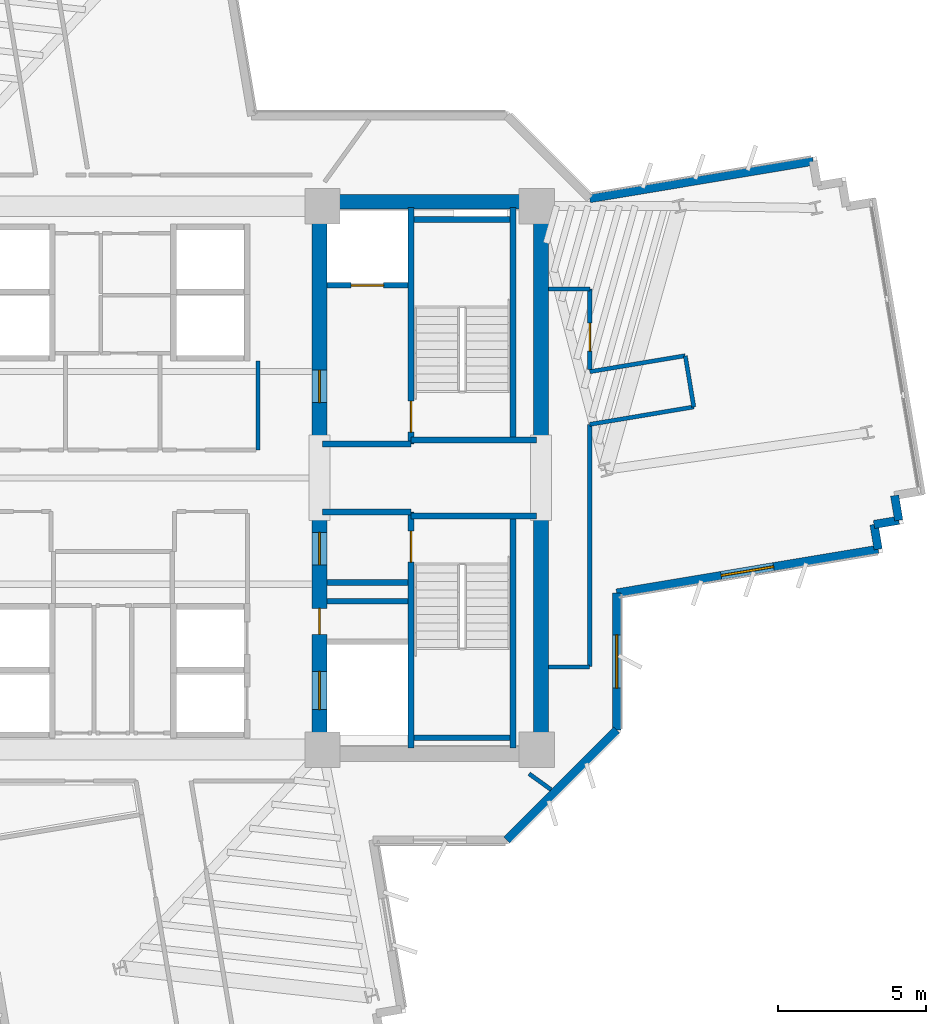
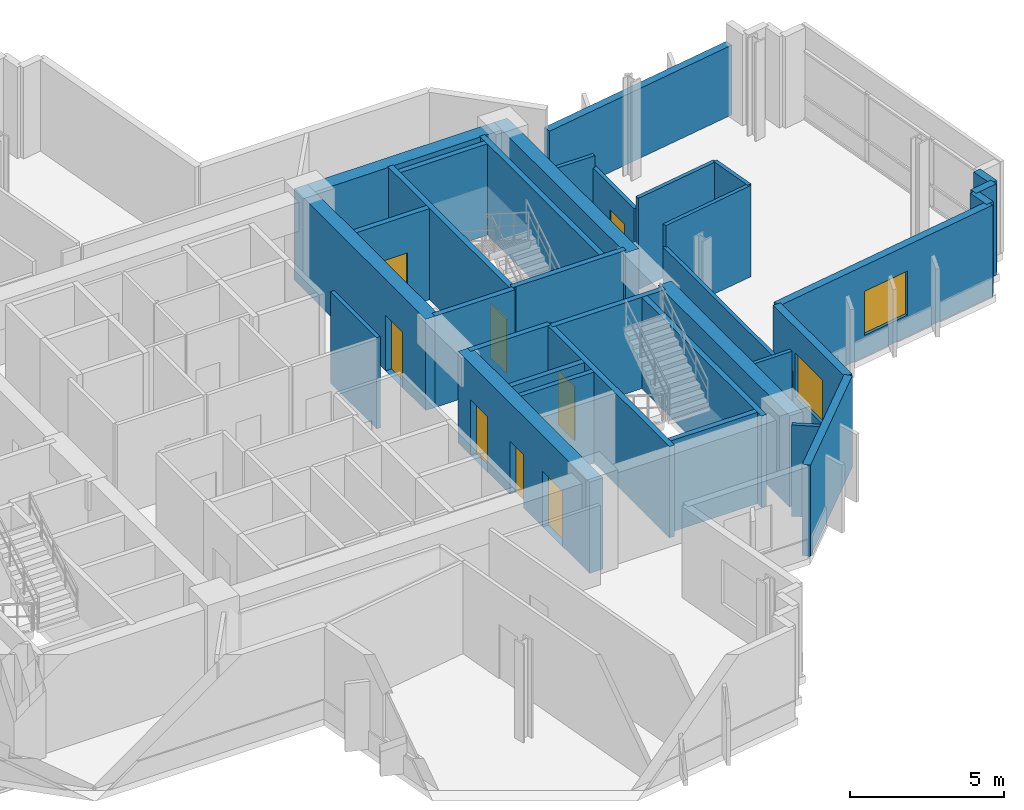
# One storey, part 10 of 15: 34 walls, 8 doors, 2 windows, 10 openings.
"""IFC4 building model written with IfcOpenShell, lengths in metres."""

from ifc_helpers import new_model, si_unit, direction, frame, frame_2d, origin, place, context, subcontext, project, spatial, rectangle, extrude, source, transform, mapped, material, layer, layer_set, type_object, element, fill, save


model = new_model("IFC4")

# Units and contexts
model_context = context("Model", 3, precision=1e-05, world=origin(), true_north=direction((0.0, 1.0)))
body_context = subcontext(model_context, "Body", "Model", "MODEL_VIEW")
ifc_project = project(units=[si_unit("LENGTHUNIT", "METRE"), si_unit("AREAUNIT", "SQUARE_METRE"), si_unit("VOLUMEUNIT", "CUBIC_METRE"), si_unit("PLANEANGLEUNIT", "RADIAN"), si_unit("MASSUNIT", "GRAM", prefix="KILO")], contexts=[model_context])

# Site, building, storey
site_placement = place(None, origin())
site = spatial("IfcSite", under=ifc_project, at=site_placement, CompositionType="ELEMENT")
building_placement = place(site_placement, origin())
building = spatial("IfcBuilding", under=site, at=building_placement, Name="Zahravan Cultural Tower", CompositionType="ELEMENT")
storey_placement = place(building_placement, frame((0.0, 0.0, 143.39990234375)))
storey = spatial("IfcBuildingStorey", under=building, at=storey_placement, Name="L32", CompositionType="ELEMENT", Elevation=143.39990234375)

# Wall, openings, doors
ifc_material_1 = material(Name="Concrete C60/75", Category="concrete")
ifc_layer_1 = layer(ifc_material_1, 0.5)
ifc_layer_set_1 = layer_set([ifc_layer_1], Name="Concrete C60/75")
wall_type_1 = type_object("IfcWallType", Name="CW-SHEAR-500-C60", PredefinedType="SHEAR", material=ifc_layer_set_1)
wall_1_placement = place(storey_placement, frame((43.0, 17.39990234375, 0.0), z_axis=(0.0, 0.0, 1.0), x_axis=(0.0, 1.0, 0.0)))
wall_1 = element("IfcWall", 1, at=wall_1_placement, inside=storey, type_object=wall_type_1, Name="L32 Core Shear Wall CW-E-WS-L32", PredefinedType="SHEAR", context=body_context, shape_type="SweptSolid", body=[
    extrude(rectangle(XDim=8.550048828125, YDim=0.5, at=frame_2d((4.27490234375, 0.0))), origin(), (0.0, 0.0, 1.0), 3.6201171875),
])
opening_1_placement = place(wall_1_placement, frame((6.64990234375, 0.0, 0.0)))
opening_1 = element("IfcOpeningElement", 2, at=opening_1_placement, cuts=wall_1, Name="Opening D-L32-08", PredefinedType="OPENING", context=body_context, shape_type="SweptSolid", body=[
    extrude(rectangle(XDim=1.10009765625, YDim=2.199951171875, at=frame_2d((0.550048828125, 1.10009765625))), frame((0.0, 0.260009765625, 0.0), z_axis=(0.0, -1.0, 0.0), x_axis=(1.0, 0.0, 0.0)), (0.0, 0.0, 1.0), 0.52001953125),
])
opening_2_placement = place(wall_1_placement, frame((1.75, 0.0, 0.0)))
opening_2 = element("IfcOpeningElement", 3, at=opening_2_placement, cuts=wall_1, Name="Opening LD-L32-03", PredefinedType="OPENING", context=body_context, shape_type="SweptSolid", body=[
    extrude(rectangle(XDim=1.300048828125, YDim=2.199951171875, at=frame_2d((0.64990234375, 1.10009765625))), frame((0.0, 0.260009765625, 0.0), z_axis=(0.0, -1.0, 0.0), x_axis=(1.0, 0.0, 0.0)), (0.0, 0.0, 1.0), 0.52001953125),
])
opening_3_placement = place(wall_1_placement, frame((4.300048828125, 0.0, 0.0)))
opening_3 = element("IfcOpeningElement", 4, at=opening_3_placement, cuts=wall_1, Name="Opening D-L32-12", PredefinedType="OPENING", context=body_context, shape_type="SweptSolid", body=[
    extrude(rectangle(XDim=0.8798828125, YDim=2.10009765625, at=frame_2d((0.43994140625, 1.050048828125))), frame((0.0, 0.260009765625, 0.0), z_axis=(0.0, -1.0, 0.0), x_axis=(1.0, 0.0, 0.0)), (0.0, 0.0, 1.0), 0.52001953125),
])
ifc_material_2 = material(Name="Steel ASTM A572 Grade 50", Category="steel")
door_type_1 = type_object("IfcDoorType", Name="DR-LOBBY-1100", OperationType="NOTDEFINED", PredefinedType="DOOR", material=ifc_material_2)
shared_shape_1 = source(origin(), body_context, "Body", "SweptSolid", [
    extrude(rectangle(XDim=1.10009765625, YDim=2.199951171875, at=frame_2d((0.550048828125, 1.10009765625))), frame((0.0, 0.02490234375, 0.0), z_axis=(0.0, -1.0, 0.0), x_axis=(1.0, 0.0, 0.0)), (0.0, 0.0, 1.0), 0.050048828125),
])
door_1_placement = place(opening_1_placement, origin())
door_1 = element("IfcDoor", 5, at=door_1_placement, inside=storey, type_object=door_type_1, Name="L32 Door D-L32-08", OperationType="SINGLE_SWING_LEFT", OverallHeight=2.199951171875, OverallWidth=1.10009765625, PredefinedType="DOOR", context=body_context, shape_type="MappedRepresentation", body=[
    mapped(shared_shape_1, transform((0.0, 0.0, 0.0), x_axis=(1.0, 0.0, 0.0), y_axis=(0.0, 1.0, 0.0), z_axis=(0.0, 0.0, 1.0), scale=1.0)),
])
fill(opening_1, door_1)
door_type_2 = type_object("IfcDoorType", Name="DR-LIFT-1300", OperationType="DOUBLE_DOOR_SLIDING", PredefinedType="DOOR", material=ifc_material_2)
shared_shape_2 = source(origin(), body_context, "Body", "SweptSolid", [
    extrude(rectangle(XDim=1.300048828125, YDim=2.199951171875, at=frame_2d((0.64990234375, 1.10009765625))), frame((0.0, 0.02490234375, 0.0), z_axis=(0.0, -1.0, 0.0), x_axis=(1.0, 0.0, 0.0)), (0.0, 0.0, 1.0), 0.050048828125),
])
door_2_placement = place(opening_2_placement, origin())
door_2 = element("IfcDoor", 6, at=door_2_placement, inside=storey, type_object=door_type_2, Name="L32 Door LD-L32-03", OperationType="DOUBLE_DOOR_SLIDING", OverallHeight=2.199951171875, OverallWidth=1.300048828125, PredefinedType="DOOR", context=body_context, shape_type="MappedRepresentation", body=[
    mapped(shared_shape_2, transform((0.0, 0.0, 0.0), x_axis=(1.0, 0.0, 0.0), y_axis=(0.0, 1.0, 0.0), z_axis=(0.0, 0.0, 1.0), scale=1.0)),
])
fill(opening_2, door_2)
door_type_3 = type_object("IfcDoorType", Name="DR-SVC-880", OperationType="NOTDEFINED", PredefinedType="DOOR", material=ifc_material_2)
shared_shape_3 = source(origin(), body_context, "Body", "SweptSolid", [
    extrude(rectangle(XDim=0.8798828125, YDim=2.10009765625, at=frame_2d((0.43994140625, 1.050048828125))), frame((0.0, 0.02490234375, 0.0), z_axis=(0.0, -1.0, 0.0), x_axis=(1.0, 0.0, 0.0)), (0.0, 0.0, 1.0), 0.050048828125),
])
door_3_placement = place(opening_3_placement, origin())
door_3 = element("IfcDoor", 7, at=door_3_placement, inside=storey, type_object=door_type_3, Name="L32 Door D-L32-12", OperationType="SINGLE_SWING_LEFT", OverallHeight=2.10009765625, OverallWidth=0.8798828125, PredefinedType="DOOR", context=body_context, shape_type="MappedRepresentation", body=[
    mapped(shared_shape_3, transform((0.0, 0.0, 0.0), x_axis=(1.0, 0.0, 0.0), y_axis=(0.0, 1.0, 0.0), z_axis=(0.0, 0.0, 1.0), scale=1.0)),
])
fill(opening_3, door_3)

# Wall, opening, door
wall_2_placement = place(storey_placement, frame((43.0, 28.050048828125, 0.0), z_axis=(0.0, 0.0, 1.0), x_axis=(0.0, 1.0, 0.0)))
wall_2 = element("IfcWall", 8, at=wall_2_placement, inside=storey, type_object=wall_type_1, Name="L32 Core Shear Wall CW-E-WN-L32", PredefinedType="SHEAR", context=body_context, shape_type="SweptSolid", body=[
    extrude(rectangle(XDim=8.550048828125, YDim=0.5, at=frame_2d((4.27490234375, 0.0))), origin(), (0.0, 0.0, 1.0), 3.6201171875),
])
opening_4_placement = place(wall_2_placement, frame((1.5, 0.0, 0.0)))
opening_4 = element("IfcOpeningElement", 9, at=opening_4_placement, cuts=wall_2, Name="Opening D-L32-06", PredefinedType="OPENING", context=body_context, shape_type="SweptSolid", body=[
    extrude(rectangle(XDim=1.10009765625, YDim=2.199951171875, at=frame_2d((0.550048828125, 1.10009765625))), frame((0.0, 0.260009765625, 0.0), z_axis=(0.0, -1.0, 0.0), x_axis=(1.0, 0.0, 0.0)), (0.0, 0.0, 1.0), 0.52001953125),
])
door_4_placement = place(opening_4_placement, origin())
door_4 = element("IfcDoor", 10, at=door_4_placement, inside=storey, type_object=door_type_1, Name="L32 Door D-L32-06", OperationType="SINGLE_SWING_LEFT", OverallHeight=2.199951171875, OverallWidth=1.10009765625, PredefinedType="DOOR", context=body_context, shape_type="MappedRepresentation", body=[
    mapped(shared_shape_1, transform((0.0, 0.0, 0.0), x_axis=(1.0, 0.0, 0.0), y_axis=(0.0, 1.0, 0.0), z_axis=(0.0, 0.0, 1.0), scale=1.0)),
])
fill(opening_4, door_4)

# Wall, opening, window
ifc_material_3 = material(Name="Precast concrete C40/50", Category="concrete")
ifc_layer_2 = layer(ifc_material_3, 0.280029296875)
ifc_layer_set_2 = layer_set([ifc_layer_2], Name="Precast concrete C40/50")
wall_type_2 = type_object("IfcWallType", Name="EW-TC-280", PredefinedType="SOLIDWALL", material=ifc_layer_set_2)
wall_3_placement = place(storey_placement, frame((61.9140625, 24.583984375, 0.0), z_axis=(0.0, 0.0, 1.0), x_axis=(-0.98628492446, -0.165051651865, 0.0)))
wall_3 = element("IfcWall", 11, at=wall_3_placement, inside=storey, type_object=wall_type_2, Name="L32 Exterior Masonry Frame Wall 10", PredefinedType="SOLIDWALL", context=body_context, shape_type="SweptSolid", body=[
    extrude(rectangle(XDim=8.97705078125, YDim=0.280029296875, at=frame_2d((4.488525390625, 0.0))), origin(), (0.0, 0.0, 1.0), 3.6201171875),
])
opening_5_placement = place(wall_3_placement, frame((3.589111328125, 0.0, 0.85009765625)))
opening_5 = element("IfcOpeningElement", 12, at=opening_5_placement, cuts=wall_3, Name="Opening WN-02", PredefinedType="OPENING", context=body_context, shape_type="SweptSolid", body=[
    extrude(rectangle(XDim=1.800048828125, YDim=1.75, at=frame_2d((0.89990234375, 0.875))), frame((0.0, 0.14990234375, 0.0), z_axis=(0.0, -1.0, 0.0), x_axis=(1.0, 0.0, 0.0)), (0.0, 0.0, 1.0), 0.300048828125),
])
ifc_material_4 = material(Name="Low-E solar-control double glazing", Category="glass")
window_type = type_object("IfcWindowType", Name="WN-REC-1800X1750", PartitioningType="DOUBLE_PANEL_VERTICAL", PredefinedType="WINDOW", material=ifc_material_4)
shared_shape_4 = source(origin(), body_context, "Body", "SweptSolid", [
    extrude(rectangle(XDim=1.800048828125, YDim=1.75, at=frame_2d((0.89990234375, 0.875))), frame((0.0, 0.030029296875, 0.0), z_axis=(0.0, -1.0, 0.0), x_axis=(1.0, 0.0, 0.0)), (0.0, 0.0, 1.0), 0.06005859375),
])
window_1_placement = place(opening_5_placement, origin())
window_1 = element("IfcWindow", 13, at=window_1_placement, inside=storey, type_object=window_type, Name="L32 Recessed Solar Window 01", OverallHeight=1.75, OverallWidth=1.800048828125, PartitioningType="DOUBLE_PANEL_VERTICAL", PredefinedType="WINDOW", context=body_context, shape_type="MappedRepresentation", body=[
    mapped(shared_shape_4, transform((0.0, 0.0, 0.0), x_axis=(1.0, 0.0, 0.0), y_axis=(0.0, 1.0, 0.0), z_axis=(0.0, 0.0, 1.0), scale=1.0)),
])
fill(opening_5, window_1)

wall_4_placement = place(storey_placement, frame((53.06005859375, 23.102294921875, 0.0), z_axis=(0.0, 0.0, 1.0), x_axis=(0.0, -1.0, 0.0)))
wall_4 = element("IfcWall", 14, at=wall_4_placement, inside=storey, type_object=wall_type_2, Name="L32 Exterior Masonry Frame Wall 11", PredefinedType="SOLIDWALL", context=body_context, shape_type="SweptSolid", body=[
    extrude(rectangle(XDim=4.644287109375, YDim=0.280029296875, at=frame_2d((2.322265625, 0.0))), origin(), (0.0, 0.0, 1.0), 3.6201171875),
])
opening_6_placement = place(wall_4_placement, frame((1.422119140625, 0.0, 0.85009765625)))
opening_6 = element("IfcOpeningElement", 15, at=opening_6_placement, cuts=wall_4, Name="Opening WN-02", PredefinedType="OPENING", context=body_context, shape_type="SweptSolid", body=[
    extrude(rectangle(XDim=1.800048828125, YDim=1.75, at=frame_2d((0.89990234375, 0.875))), frame((0.0, 0.14990234375, 0.0), z_axis=(0.0, -1.0, 0.0), x_axis=(1.0, 0.0, 0.0)), (0.0, 0.0, 1.0), 0.300048828125),
])
window_2_placement = place(opening_6_placement, origin())
window_2 = element("IfcWindow", 16, at=window_2_placement, inside=storey, type_object=window_type, Name="L32 Recessed Solar Window 02", OverallHeight=1.75, OverallWidth=1.800048828125, PartitioningType="DOUBLE_PANEL_VERTICAL", PredefinedType="WINDOW", context=body_context, shape_type="MappedRepresentation", body=[
    mapped(shared_shape_4, transform((0.0, 0.0, 0.0), x_axis=(1.0, 0.0, 0.0), y_axis=(0.0, 1.0, 0.0), z_axis=(0.0, 0.0, 1.0), scale=1.0)),
])
fill(opening_6, window_2)

# Wall, opening, door
ifc_material_5 = material(Name="Gypsum plasterboard partition")
ifc_layer_3 = layer(ifc_material_5, 0.139892578125)
ifc_layer_set_3 = layer_set([ifc_layer_3], Name="Gypsum plasterboard partition")
wall_type_3 = type_object("IfcWallType", Name="W-PART-140", PredefinedType="PARTITIONING", material=ifc_layer_set_3)
wall_5_placement = place(storey_placement, frame((52.14990234375, 30.6708984375, 0.0), z_axis=(0.0, 0.0, 1.0), x_axis=(-0.000447667607, 0.999999899797, 0.0)))
wall_5 = element("IfcWall", 17, at=wall_5_placement, inside=storey, type_object=wall_type_3, Name="L32 Interior Wall 117", PredefinedType="PARTITIONING", context=body_context, shape_type="SweptSolid", body=[
    extrude(rectangle(XDim=2.726806640625, YDim=0.139892578125, at=frame_2d((1.36328125, 0.0))), origin(), (0.0, 0.0, 1.0), 3.149169921875),
])
opening_7_placement = place(wall_5_placement, frame((0.621826171875, 0.0, 0.0)))
opening_7 = element("IfcOpeningElement", 18, at=opening_7_placement, cuts=wall_5, Name="Opening D-L32-23", PredefinedType="OPENING", context=body_context, shape_type="SweptSolid", body=[
    extrude(rectangle(XDim=0.949951171875, YDim=2.14990234375, at=frame_2d((0.47509765625, 1.074951171875))), frame((0.0, 0.079833984375, 0.0), z_axis=(0.0, -1.0, 0.0), x_axis=(1.0, 0.0, 0.0)), (0.0, 0.0, 1.0), 0.159912109375),
])
ifc_material_6 = material(Name="Anodised bronze-aluminium mullion", Category="aluminium")
door_type_4 = type_object("IfcDoorType", Name="DR-ROOM-950", OperationType="NOTDEFINED", PredefinedType="DOOR", material=ifc_material_6)
shared_shape_5 = source(origin(), body_context, "Body", "SweptSolid", [
    extrude(rectangle(XDim=0.949951171875, YDim=2.14990234375, at=frame_2d((0.47509765625, 1.074951171875))), frame((0.0, 0.02490234375, 0.0), z_axis=(0.0, -1.0, 0.0), x_axis=(1.0, 0.0, 0.0)), (0.0, 0.0, 1.0), 0.050048828125),
])
door_5_placement = place(opening_7_placement, origin())
door_5 = element("IfcDoor", 19, at=door_5_placement, inside=storey, type_object=door_type_4, Name="L32 Door D-L32-23", OperationType="SINGLE_SWING_RIGHT", OverallHeight=2.14990234375, OverallWidth=0.949951171875, PredefinedType="DOOR", context=body_context, shape_type="MappedRepresentation", body=[
    mapped(shared_shape_5, transform((0.0, 0.0, 0.0), x_axis=(1.0, 0.0, 0.0), y_axis=(0.0, 1.0, 0.0), z_axis=(0.0, 0.0, 1.0), scale=1.0)),
])
fill(opening_7, door_5)

ifc_material_7 = material(Name="Concrete C45/55", Category="concrete")
ifc_layer_4 = layer(ifc_material_7, 0.199951171875)
ifc_layer_set_4 = layer_set([ifc_layer_4], Name="Concrete C45/55")
wall_type_4 = type_object("IfcWallType", Name="W-SHAFT-200", PredefinedType="SOLIDWALL", material=ifc_layer_set_4)
wall_6_placement = place(storey_placement, frame((46.10009765625, 17.85009765625, 0.0), z_axis=(0.0, 0.0, 1.0), x_axis=(0.0, 1.0, 0.0)))
wall_6 = element("IfcWall", 20, at=wall_6_placement, inside=storey, type_object=wall_type_4, Name="L32 Interior Wall 007", PredefinedType="SOLIDWALL", context=body_context, shape_type="SweptSolid", body=[
    extrude(rectangle(XDim=8.0, YDim=0.199951171875, at=frame_2d((4.0, 0.0))), origin(), (0.0, 0.0, 1.0), 3.6201171875),
])
opening_8_placement = place(wall_6_placement, frame((6.300048828125, 0.0, 0.0)))
opening_8 = element("IfcOpeningElement", 21, at=opening_8_placement, cuts=wall_6, Name="Opening D-L32-03", PredefinedType="OPENING", context=body_context, shape_type="SweptSolid", body=[
    extrude(rectangle(XDim=1.050048828125, YDim=2.14990234375, at=frame_2d((0.52490234375, 1.074951171875))), frame((0.0, 0.10986328125, 0.0), z_axis=(0.0, -1.0, 0.0), x_axis=(1.0, 0.0, 0.0)), (0.0, 0.0, 1.0), 0.219970703125),
])
door_type_5 = type_object("IfcDoorType", Name="DR-STAIR-1050", OperationType="NOTDEFINED", PredefinedType="DOOR", material=ifc_material_2)
shared_shape_6 = source(origin(), body_context, "Body", "SweptSolid", [
    extrude(rectangle(XDim=1.050048828125, YDim=2.14990234375, at=frame_2d((0.52490234375, 1.074951171875))), frame((0.0, 0.02490234375, 0.0), z_axis=(0.0, -1.0, 0.0), x_axis=(1.0, 0.0, 0.0)), (0.0, 0.0, 1.0), 0.050048828125),
])
door_6_placement = place(opening_8_placement, origin())
door_6 = element("IfcDoor", 22, at=door_6_placement, inside=storey, type_object=door_type_5, Name="L32 Door D-L32-03", OperationType="SINGLE_SWING_RIGHT", OverallHeight=2.14990234375, OverallWidth=1.050048828125, PredefinedType="DOOR", context=body_context, shape_type="MappedRepresentation", body=[
    mapped(shared_shape_6, transform((0.0, 0.0, 0.0), x_axis=(1.0, 0.0, 0.0), y_axis=(0.0, 1.0, 0.0), z_axis=(0.0, 0.0, 1.0), scale=1.0)),
])
fill(opening_8, door_6)

wall_7_placement = place(storey_placement, frame((46.10009765625, 28.14990234375, 0.0), z_axis=(0.0, 0.0, 1.0), x_axis=(0.0, 1.0, 0.0)))
wall_7 = element("IfcWall", 23, at=wall_7_placement, inside=storey, type_object=wall_type_4, Name="L32 Interior Wall 008", PredefinedType="SOLIDWALL", context=body_context, shape_type="SweptSolid", body=[
    extrude(rectangle(XDim=8.0, YDim=0.199951171875, at=frame_2d((4.0, 0.0))), origin(), (0.0, 0.0, 1.0), 3.6201171875),
])
opening_9_placement = place(wall_7_placement, frame((0.39990234375, 0.0, 0.0)))
opening_9 = element("IfcOpeningElement", 24, at=opening_9_placement, cuts=wall_7, Name="Opening D-L32-02", PredefinedType="OPENING", context=body_context, shape_type="SweptSolid", body=[
    extrude(rectangle(XDim=1.050048828125, YDim=2.14990234375, at=frame_2d((0.52490234375, 1.074951171875))), frame((0.0, 0.10986328125, 0.0), z_axis=(0.0, -1.0, 0.0), x_axis=(1.0, 0.0, 0.0)), (0.0, 0.0, 1.0), 0.219970703125),
])
door_7_placement = place(opening_9_placement, origin())
door_7 = element("IfcDoor", 25, at=door_7_placement, inside=storey, type_object=door_type_5, Name="L32 Door D-L32-02", OperationType="SINGLE_SWING_LEFT", OverallHeight=2.14990234375, OverallWidth=1.050048828125, PredefinedType="DOOR", context=body_context, shape_type="MappedRepresentation", body=[
    mapped(shared_shape_6, transform((0.0, 0.0, 0.0), x_axis=(1.0, 0.0, 0.0), y_axis=(0.0, 1.0, 0.0), z_axis=(0.0, 0.0, 1.0), scale=1.0)),
])
fill(opening_9, door_7)

wall_8_placement = place(storey_placement, frame((43.25, 33.52001953125, 0.0), z_axis=(0.0, 0.0, 1.0), x_axis=(1.0, 0.0, 0.0)))
wall_8 = element("IfcWall", 26, at=wall_8_placement, inside=storey, type_object=wall_type_4, Name="L32 Interior Wall 022", PredefinedType="SOLIDWALL", context=body_context, shape_type="SweptSolid", body=[
    extrude(rectangle(XDim=2.75, YDim=0.199951171875, at=frame_2d((1.375, 0.0))), origin(), (0.0, 0.0, 1.0), 3.6201171875),
])
opening_10_placement = place(wall_8_placement, frame((0.820068359375, 0.0, 0.0)))
opening_10 = element("IfcOpeningElement", 27, at=opening_10_placement, cuts=wall_8, Name="Opening LD-L32-02", PredefinedType="OPENING", context=body_context, shape_type="SweptSolid", body=[
    extrude(rectangle(XDim=1.10009765625, YDim=2.14990234375, at=frame_2d((0.550048828125, 1.074951171875))), frame((0.0, 0.10986328125, 0.0), z_axis=(0.0, -1.0, 0.0), x_axis=(1.0, 0.0, 0.0)), (0.0, 0.0, 1.0), 0.219970703125),
])
door_type_6 = type_object("IfcDoorType", Name="DR-LIFT-1100", OperationType="DOUBLE_DOOR_SLIDING", PredefinedType="DOOR", material=ifc_material_2)
shared_shape_7 = source(origin(), body_context, "Body", "SweptSolid", [
    extrude(rectangle(XDim=1.10009765625, YDim=2.14990234375, at=frame_2d((0.550048828125, 1.074951171875))), frame((0.0, 0.02490234375, 0.0), z_axis=(0.0, -1.0, 0.0), x_axis=(1.0, 0.0, 0.0)), (0.0, 0.0, 1.0), 0.050048828125),
])
door_8_placement = place(opening_10_placement, origin())
door_8 = element("IfcDoor", 28, at=door_8_placement, inside=storey, type_object=door_type_6, Name="L32 Door LD-L32-02", OperationType="DOUBLE_DOOR_SLIDING", OverallHeight=2.14990234375, OverallWidth=1.10009765625, PredefinedType="DOOR", context=body_context, shape_type="MappedRepresentation", body=[
    mapped(shared_shape_7, transform((0.0, 0.0, 0.0), x_axis=(1.0, 0.0, 0.0), y_axis=(0.0, 1.0, 0.0), z_axis=(0.0, 0.0, 1.0), scale=1.0)),
])
fill(opening_10, door_8)

# Walls
shared_shape_8 = source(origin(), body_context, "Body", "SweptSolid", [
    extrude(rectangle(XDim=8.550048828125, YDim=0.5, at=frame_2d((4.27490234375, 0.0))), origin(), (0.0, 0.0, 1.0), 3.6201171875),
])
for number, where, z_axis, x_axis, name in (
    (29, (50.5, 17.39990234375, 0.0), (0.0, 0.0, 1.0), (0.0, 1.0, 0.0), "L32 Core Shear Wall CW-E-ES-L32"),
    (30, (50.5, 28.050048828125, 0.0), (0.0, 0.0, 1.0), (0.0, 1.0, 0.0), "L32 Core Shear Wall CW-E-EN-L32"),
):
    element("IfcWall", number, at=place(storey_placement, frame(where, z_axis=z_axis, x_axis=x_axis)), inside=storey, type_object=wall_type_1, Name=name, PredefinedType="SHEAR", context=body_context, shape_type="MappedRepresentation", body=[
        mapped(shared_shape_8, transform((0.0, 0.0, 0.0), x_axis=(1.0, 0.0, 0.0), y_axis=(0.0, 1.0, 0.0), z_axis=(0.0, 0.0, 1.0), scale=1.0)),
    ])
shared_shape_9 = source(origin(), body_context, "Body", "SweptSolid", [
    extrude(rectangle(XDim=7.0, YDim=0.5, at=frame_2d((3.5, 0.0))), origin(), (0.0, 0.0, 1.0), 3.6201171875),
])
wall_9_placement = place(storey_placement, frame((43.25, 36.35009765625, 0.0), z_axis=(0.0, 0.0, 1.0), x_axis=(1.0, 0.0, 0.0)))
element("IfcWall", 31, at=wall_9_placement, inside=storey, type_object=wall_type_1, Name="L32 Core Shear Wall CW-E-N-L32", PredefinedType="SHEAR", context=body_context, shape_type="MappedRepresentation", body=[
    mapped(shared_shape_9, transform((0.0, 0.0, 0.0), x_axis=(1.0, 0.0, 0.0), y_axis=(0.0, 1.0, 0.0), z_axis=(0.0, 0.0, 1.0), scale=1.0)),
])
shared_shape_10 = source(origin(), body_context, "Body", "SweptSolid", [
    extrude(rectangle(XDim=0.85009765625, YDim=0.280029296875, at=frame_2d((0.425048828125, 0.0))), origin(), (0.0, 0.0, 1.0), 3.6201171875),
])
for number, where, z_axis, x_axis, name in (
    (32, (62.471923828125, 26.40087890625, 0.0), (0.0, 0.0, 1.0), (0.16514412658, -0.986269444653, 0.0), "L32 Exterior Masonry Frame Wall 07"),
    (33, (62.6123046875, 25.5625, 0.0), (0.0, 0.0, 1.0), (-0.986316186628, -0.164864732418, 0.0), "L32 Exterior Masonry Frame Wall 08"),
    (34, (61.77392578125, 25.42236328125, 0.0), (0.0, 0.0, 1.0), (0.164864732418, -0.986316186628, 0.0), "L32 Exterior Masonry Frame Wall 09"),
):
    element("IfcWall", number, at=place(storey_placement, frame(where, z_axis=z_axis, x_axis=x_axis)), inside=storey, type_object=wall_type_2, Name=name, PredefinedType="SOLIDWALL", context=body_context, shape_type="MappedRepresentation", body=[
        mapped(shared_shape_10, transform((0.0, 0.0, 0.0), x_axis=(1.0, 0.0, 0.0), y_axis=(0.0, 1.0, 0.0), z_axis=(0.0, 0.0, 1.0), scale=1.0)),
    ])
shared_shape_11 = source(origin(), body_context, "Body", "SweptSolid", [
    extrude(rectangle(XDim=5.258056640625, YDim=0.280029296875, at=frame_2d((2.62890625, 0.0))), origin(), (0.0, 0.0, 1.0), 3.6201171875),
])
wall_10_placement = place(storey_placement, frame((53.06005859375, 18.4580078125, 0.0), z_axis=(0.0, 0.0, 1.0), x_axis=(-0.707106781187, -0.707106781187, 0.0)))
element("IfcWall", 35, at=wall_10_placement, inside=storey, type_object=wall_type_2, Name="L32 Exterior Masonry Frame Wall 12", PredefinedType="SOLIDWALL", context=body_context, shape_type="MappedRepresentation", body=[
    mapped(shared_shape_11, transform((0.0, 0.0, 0.0), x_axis=(1.0, 0.0, 0.0), y_axis=(0.0, 1.0, 0.0), z_axis=(0.0, 0.0, 1.0), scale=1.0)),
])
shared_shape_12 = source(origin(), body_context, "Body", "SweptSolid", [
    extrude(rectangle(XDim=7.673828125, YDim=0.280029296875, at=frame_2d((3.8369140625, 0.0))), origin(), (0.0, 0.0, 1.0), 2.76611328125),
])
wall_11_placement = place(storey_placement, frame((52.147216796875, 36.45458984375, 0.0), z_axis=(0.0, 0.0, 1.0), x_axis=(0.986284504747, 0.165054159886, 0.0)))
element("IfcWall", 36, at=wall_11_placement, inside=storey, type_object=wall_type_2, Name="L32 Exterior Masonry Frame Wall 01", PredefinedType="SOLIDWALL", context=body_context, shape_type="MappedRepresentation", body=[
    mapped(shared_shape_12, transform((0.0, 0.0, 0.0), x_axis=(1.0, 0.0, 0.0), y_axis=(0.0, 1.0, 0.0), z_axis=(0.0, 0.0, 1.0), scale=1.0)),
])
shared_shape_13 = source(origin(), body_context, "Body", "SweptSolid", [
    extrude(rectangle(XDim=7.869873046875, YDim=0.199951171875, at=frame_2d((3.93505859375, 0.0))), origin(), (0.0, 0.0, 1.0), 3.6201171875),
])
for number, where, z_axis, x_axis, name in (
    (37, (49.550048828125, 17.85009765625, 0.0), (0.0, 0.0, 1.0), (0.0, 1.0, 0.0), "L32 Interior Wall 003"),
    (38, (49.550048828125, 28.280029296875, 0.0), (0.0, 0.0, 1.0), (0.0, 1.0, 0.0), "L32 Interior Wall 004"),
):
    element("IfcWall", number, at=place(storey_placement, frame(where, z_axis=z_axis, x_axis=x_axis)), inside=storey, type_object=wall_type_4, Name=name, PredefinedType="SOLIDWALL", context=body_context, shape_type="MappedRepresentation", body=[
        mapped(shared_shape_13, transform((0.0, 0.0, 0.0), x_axis=(1.0, 0.0, 0.0), y_axis=(0.0, 1.0, 0.0), z_axis=(0.0, 0.0, 1.0), scale=1.0)),
    ])
shared_shape_14 = source(origin(), body_context, "Body", "SweptSolid", [
    extrude(rectangle(XDim=4.25, YDim=0.199951171875, at=frame_2d((2.125, 0.0))), origin(), (0.0, 0.0, 1.0), 3.6201171875),
])
for number, where, z_axis, x_axis, name in (
    (39, (46.10009765625, 25.715087890625, 0.0), (0.0, 0.0, 1.0), (1.0, 0.0, 0.0), "L32 Interior Wall 014"),
    (40, (46.10009765625, 28.284912109375, 0.0), (0.0, 0.0, 1.0), (1.0, 0.0, 0.0), "L32 Interior Wall 016"),
):
    element("IfcWall", number, at=place(storey_placement, frame(where, z_axis=z_axis, x_axis=x_axis)), inside=storey, type_object=wall_type_4, Name=name, PredefinedType="SOLIDWALL", context=body_context, shape_type="MappedRepresentation", body=[
        mapped(shared_shape_14, transform((0.0, 0.0, 0.0), x_axis=(1.0, 0.0, 0.0), y_axis=(0.0, 1.0, 0.0), z_axis=(0.0, 0.0, 1.0), scale=1.0)),
    ])
shared_shape_15 = source(origin(), body_context, "Body", "SweptSolid", [
    extrude(rectangle(XDim=3.0, YDim=0.199951171875, at=frame_2d((1.5, 0.0))), origin(), (0.0, 0.0, 1.0), 3.6201171875),
])
for number, where, z_axis, x_axis, name in (
    (41, (43.10009765625, 25.85009765625, 0.0), (0.0, 0.0, 1.0), (1.0, 0.0, 0.0), "L32 Interior Wall 013"),
    (42, (43.10009765625, 28.14990234375, 0.0), (0.0, 0.0, 1.0), (1.0, 0.0, 0.0), "L32 Interior Wall 015"),
):
    element("IfcWall", number, at=place(storey_placement, frame(where, z_axis=z_axis, x_axis=x_axis)), inside=storey, type_object=wall_type_4, Name=name, PredefinedType="SOLIDWALL", context=body_context, shape_type="MappedRepresentation", body=[
        mapped(shared_shape_15, transform((0.0, 0.0, 0.0), x_axis=(1.0, 0.0, 0.0), y_axis=(0.0, 1.0, 0.0), z_axis=(0.0, 0.0, 1.0), scale=1.0)),
    ])
shared_shape_16 = source(origin(), body_context, "Body", "SweptSolid", [
    extrude(rectangle(XDim=3.25, YDim=0.199951171875, at=frame_2d((1.625, 0.0))), origin(), (0.0, 0.0, 1.0), 3.6201171875),
])
for number, where, z_axis, x_axis, name in (
    (43, (46.199951171875, 35.75, 0.0), (0.0, 0.0, 1.0), (1.0, 0.0, 0.0), "L32 Interior Wall 018"),
    (44, (46.199951171875, 18.199951171875, 0.0), (0.0, 0.0, 1.0), (1.0, 0.0, 0.0), "L32 Interior Wall 020"),
):
    element("IfcWall", number, at=place(storey_placement, frame(where, z_axis=z_axis, x_axis=x_axis)), inside=storey, type_object=wall_type_4, Name=name, PredefinedType="SOLIDWALL", context=body_context, shape_type="MappedRepresentation", body=[
        mapped(shared_shape_16, transform((0.0, 0.0, 0.0), x_axis=(1.0, 0.0, 0.0), y_axis=(0.0, 1.0, 0.0), z_axis=(0.0, 0.0, 1.0), scale=1.0)),
    ])
shared_shape_17 = source(origin(), body_context, "Body", "SweptSolid", [
    extrude(rectangle(XDim=2.75, YDim=0.199951171875, at=frame_2d((1.375, 0.0))), origin(), (0.0, 0.0, 1.0), 3.6201171875),
])
wall_12_placement = place(storey_placement, frame((43.25, 23.449951171875, 0.0), z_axis=(0.0, 0.0, 1.0), x_axis=(1.0, 0.0, 0.0)))
element("IfcWall", 45, at=wall_12_placement, inside=storey, type_object=wall_type_4, Name="L32 Interior Wall 024", PredefinedType="SOLIDWALL", context=body_context, shape_type="MappedRepresentation", body=[
    mapped(shared_shape_17, transform((0.0, 0.0, 0.0), x_axis=(1.0, 0.0, 0.0), y_axis=(0.0, 1.0, 0.0), z_axis=(0.0, 0.0, 1.0), scale=1.0)),
])
ifc_layer_5 = layer(ifc_material_5, 0.179931640625)
ifc_layer_set_5 = layer_set([ifc_layer_5], Name="Gypsum plasterboard partition")
wall_type_5 = type_object("IfcWallType", Name="W-COMP-180", PredefinedType="PARTITIONING", material=ifc_layer_set_5)
shared_shape_18 = source(origin(), body_context, "Body", "SweptSolid", [
    extrude(rectangle(XDim=2.75, YDim=0.179931640625, at=frame_2d((1.375, 0.0))), origin(), (0.0, 0.0, 1.0), 3.6201171875),
])
wall_13_placement = place(storey_placement, frame((43.25, 22.820068359375, 0.0), z_axis=(0.0, 0.0, 1.0), x_axis=(1.0, 0.0, 0.0)))
element("IfcWall", 46, at=wall_13_placement, inside=storey, type_object=wall_type_5, Name="L32 Interior Wall 028", PredefinedType="PARTITIONING", context=body_context, shape_type="MappedRepresentation", body=[
    mapped(shared_shape_18, transform((0.0, 0.0, 0.0), x_axis=(1.0, 0.0, 0.0), y_axis=(0.0, 1.0, 0.0), z_axis=(0.0, 0.0, 1.0), scale=1.0)),
])
shared_shape_19 = source(origin(), body_context, "Body", "SweptSolid", [
    extrude(rectangle(XDim=3.010009765625, YDim=0.139892578125, at=frame_2d((1.5048828125, 0.0))), origin(), (0.0, 0.0, 1.0), 3.6201171875),
])
wall_14_placement = place(storey_placement, frame((40.919921875, 30.949951171875, 0.0), z_axis=(0.0, 0.0, 1.0), x_axis=(0.0, -1.0, 0.0)))
element("IfcWall", 47, at=wall_14_placement, inside=storey, type_object=wall_type_3, Name="L32 Interior Wall 086", PredefinedType="PARTITIONING", context=body_context, shape_type="MappedRepresentation", body=[
    mapped(shared_shape_19, transform((0.0, 0.0, 0.0), x_axis=(1.0, 0.0, 0.0), y_axis=(0.0, 1.0, 0.0), z_axis=(0.0, 0.0, 1.0), scale=1.0)),
])
shared_shape_20 = source(origin(), body_context, "Body", "SweptSolid", [
    extrude(rectangle(XDim=0.919189453125, YDim=0.139892578125, at=frame_2d((0.45947265625, 0.0))), origin(), (0.0, 0.0, 1.0), 3.6201171875),
])
wall_15_placement = place(storey_placement, frame((50.093994140625, 16.97998046875, 0.0), z_axis=(0.0, 0.0, 1.0), x_axis=(0.81148395648, -0.584374698611, 0.0)))
element("IfcWall", 48, at=wall_15_placement, inside=storey, type_object=wall_type_3, Name="L32 Interior Wall 100", PredefinedType="PARTITIONING", context=body_context, shape_type="MappedRepresentation", body=[
    mapped(shared_shape_20, transform((0.0, 0.0, 0.0), x_axis=(1.0, 0.0, 0.0), y_axis=(0.0, 1.0, 0.0), z_axis=(0.0, 0.0, 1.0), scale=1.0)),
])
shared_shape_21 = source(origin(), body_context, "Body", "SweptSolid", [
    extrude(rectangle(XDim=1.38916015625, YDim=0.139892578125, at=frame_2d((0.694580078125, 0.0))), origin(), (0.0, 0.0, 1.0), 3.6201171875),
])
wall_16_placement = place(storey_placement, frame((50.7548828125, 20.60009765625, 0.0), z_axis=(0.0, 0.0, 1.0), x_axis=(1.0, 0.0, 0.0)))
element("IfcWall", 49, at=wall_16_placement, inside=storey, type_object=wall_type_3, Name="L32 Interior Wall 112", PredefinedType="PARTITIONING", context=body_context, shape_type="MappedRepresentation", body=[
    mapped(shared_shape_21, transform((0.0, 0.0, 0.0), x_axis=(1.0, 0.0, 0.0), y_axis=(0.0, 1.0, 0.0), z_axis=(0.0, 0.0, 1.0), scale=1.0)),
])
shared_shape_22 = source(origin(), body_context, "Body", "SweptSolid", [
    extrude(rectangle(XDim=3.5703125, YDim=0.139892578125, at=frame_2d((1.78515625, 0.0))), origin(), (0.0, 0.0, 1.0), 3.6201171875),
])
wall_17_placement = place(storey_placement, frame((52.14990234375, 28.810302734375, 0.0), z_axis=(0.0, 0.0, 1.0), x_axis=(0.98622523321, 0.165407948356, 0.0)))
element("IfcWall", 50, at=wall_17_placement, inside=storey, type_object=wall_type_3, Name="L32 Interior Wall 114", PredefinedType="PARTITIONING", context=body_context, shape_type="MappedRepresentation", body=[
    mapped(shared_shape_22, transform((0.0, 0.0, 0.0), x_axis=(1.0, 0.0, 0.0), y_axis=(0.0, 1.0, 0.0), z_axis=(0.0, 0.0, 1.0), scale=1.0)),
])
shared_shape_23 = source(origin(), body_context, "Body", "SweptSolid", [
    extrude(rectangle(XDim=1.751220703125, YDim=0.139892578125, at=frame_2d((0.87548828125, 0.0))), origin(), (0.0, 0.0, 1.0), 3.6201171875),
])
wall_18_placement = place(storey_placement, frame((55.671142578125, 29.40087890625, 0.0), z_axis=(0.0, 0.0, 1.0), x_axis=(-0.163946827652, 0.986469177269, 0.0)))
element("IfcWall", 51, at=wall_18_placement, inside=storey, type_object=wall_type_3, Name="L32 Interior Wall 115", PredefinedType="PARTITIONING", context=body_context, shape_type="MappedRepresentation", body=[
    mapped(shared_shape_23, transform((0.0, 0.0, 0.0), x_axis=(1.0, 0.0, 0.0), y_axis=(0.0, 1.0, 0.0), z_axis=(0.0, 0.0, 1.0), scale=1.0)),
])
shared_shape_24 = source(origin(), body_context, "Body", "SweptSolid", [
    extrude(rectangle(XDim=3.272216796875, YDim=0.139892578125, at=frame_2d((1.63623046875, 0.0))), origin(), (0.0, 0.0, 1.0), 3.6201171875),
])
wall_19_placement = place(storey_placement, frame((55.377197265625, 31.135009765625, 0.0), z_axis=(0.0, 0.0, 1.0), x_axis=(-0.986274692216, -0.165112784165, 0.0)))
element("IfcWall", 52, at=wall_19_placement, inside=storey, type_object=wall_type_3, Name="L32 Interior Wall 116", PredefinedType="PARTITIONING", context=body_context, shape_type="MappedRepresentation", body=[
    mapped(shared_shape_24, transform((0.0, 0.0, 0.0), x_axis=(1.0, 0.0, 0.0), y_axis=(0.0, 1.0, 0.0), z_axis=(0.0, 0.0, 1.0), scale=1.0)),
])
shared_shape_25 = source(origin(), body_context, "Body", "SweptSolid", [
    extrude(rectangle(XDim=1.393798828125, YDim=0.139892578125, at=frame_2d((0.69677734375, 0.0))), origin(), (0.0, 0.0, 1.0), 3.6201171875),
])
wall_20_placement = place(storey_placement, frame((52.148681640625, 33.397705078125, 0.0), z_axis=(0.0, 0.0, 1.0), x_axis=(-0.999998757392, 0.001576456265, 0.0)))
element("IfcWall", 53, at=wall_20_placement, inside=storey, type_object=wall_type_3, Name="L32 Interior Wall 118", PredefinedType="PARTITIONING", context=body_context, shape_type="MappedRepresentation", body=[
    mapped(shared_shape_25, transform((0.0, 0.0, 0.0), x_axis=(1.0, 0.0, 0.0), y_axis=(0.0, 1.0, 0.0), z_axis=(0.0, 0.0, 1.0), scale=1.0)),
])
shared_shape_26 = source(origin(), body_context, "Body", "SweptSolid", [
    extrude(rectangle(XDim=8.20263671875, YDim=0.139892578125, at=frame_2d((4.101318359375, 0.0))), origin(), (0.0, 0.0, 1.0), 2.76611328125),
])
wall_21_placement = place(storey_placement, frame((52.149658203125, 20.607666015625, 0.0), z_axis=(0.0, 0.0, 1.0), x_axis=(2.9763676e-05, 0.999999999557, 0.0)))
element("IfcWall", 54, at=wall_21_placement, inside=storey, type_object=wall_type_3, Name="L32 Interior Wall 113", PredefinedType="PARTITIONING", context=body_context, shape_type="MappedRepresentation", body=[
    mapped(shared_shape_26, transform((0.0, 0.0, 0.0), x_axis=(1.0, 0.0, 0.0), y_axis=(0.0, 1.0, 0.0), z_axis=(0.0, 0.0, 1.0), scale=1.0)),
])

save(model, "model.ifc")
